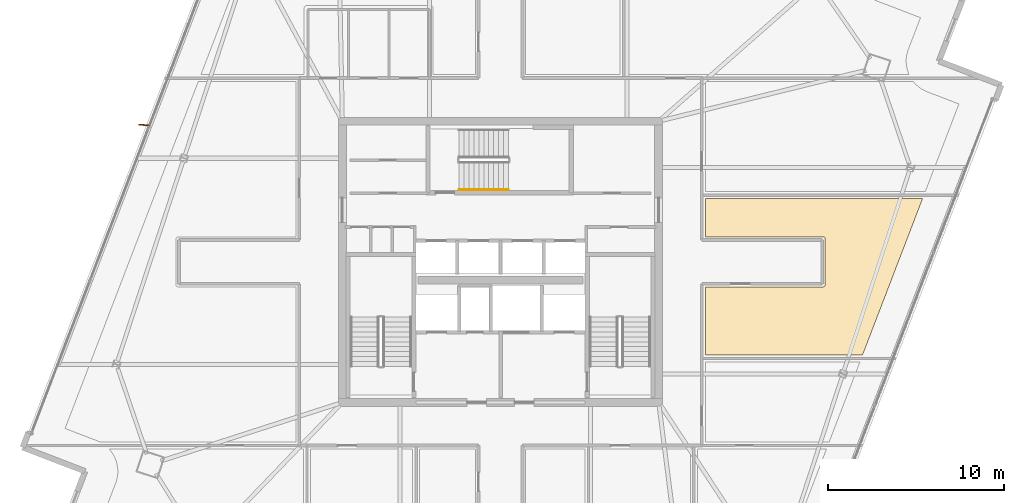
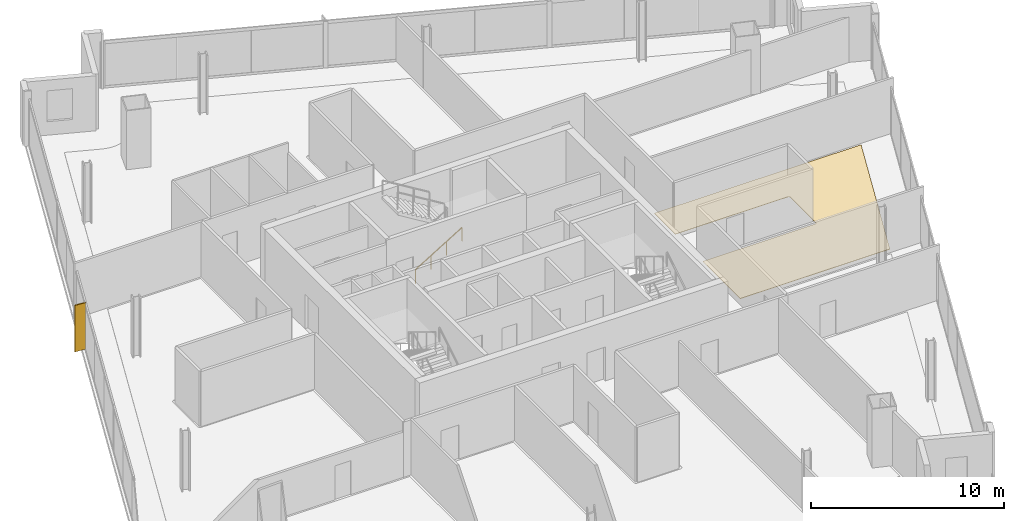
# One storey, part 25 of 27: 1 covering, 1 railing, 1 shading device.
"""IFC4 building model written with IfcOpenShell, lengths in metres."""

from ifc_helpers import new_model, si_unit, direction, frame, origin, origin_2d, place, context, subcontext, project, spatial, polyline, rectangle, outline, extrude, source, transform, mapped, material, layer, layer_set, type_object, element, save


model = new_model("IFC4")

# Units and contexts
model_context = context("Model", 3, precision=1e-05, world=origin(), true_north=direction((0.0, 1.0)))
body_context = subcontext(model_context, "Body", "Model", "MODEL_VIEW")
ifc_project = project(units=[si_unit("LENGTHUNIT", "METRE"), si_unit("AREAUNIT", "SQUARE_METRE"), si_unit("VOLUMEUNIT", "CUBIC_METRE"), si_unit("PLANEANGLEUNIT", "RADIAN"), si_unit("MASSUNIT", "GRAM", prefix="KILO")], contexts=[model_context])

# Site, building, storey
site_placement = place(None, origin())
site = spatial("IfcSite", under=ifc_project, at=site_placement, CompositionType="ELEMENT")
building_placement = place(site_placement, origin())
building = spatial("IfcBuilding", under=site, at=building_placement, Name="Haldenkirk Collegiate Tower", CompositionType="ELEMENT")
storey_placement = place(building_placement, frame((0.0, 0.0, 259.949951171875)))
storey = spatial("IfcBuildingStorey", under=building, at=storey_placement, Name="L65", CompositionType="ELEMENT", Elevation=259.949951171875)

# Covering
ifc_material_1 = material(Name="Polished collegiate terrazzo", Category="concrete")
ifc_layer_1 = layer(ifc_material_1, 0.02490234375)
ifc_layer_set_1 = layer_set([ifc_layer_1], Name="Polished collegiate terrazzo")
covering_type = type_object("IfcCoveringType", Name="COV-FLOOR-TERRAZZO", PredefinedType="FLOORING", material=ifc_layer_set_1)
covering_placement = place(storey_placement, origin())
element("IfcCovering", 1, at=covering_placement, inside=storey, type_object=covering_type, Name="L65 academic room finish 10", PredefinedType="FLOORING", context=body_context, shape_type="SweptSolid", body=[
    extrude(outline(polyline([(56.598876953125, 20.699951171875), (47.64990234375, 20.699951171875), (47.64990234375, 24.580078125), (54.35009765625, 24.580078125), (54.36181640625, 24.58056640625), (54.373291015625, 24.582275390625), (54.384765625, 24.585205078125), (54.39599609375, 24.589111328125), (54.406494140625, 24.59423828125), (54.416748046875, 24.60009765625), (54.426025390625, 24.607177734375), (54.434814453125, 24.614990234375), (54.44287109375, 24.623779296875), (54.44970703125, 24.63330078125), (54.455810546875, 24.643310546875), (54.4609375, 24.654052734375), (54.46484375, 24.665283203125), (54.4677734375, 24.676513671875), (54.469482421875, 24.688232421875), (54.469970703125, 24.699951171875), (54.469970703125, 27.300048828125), (54.469482421875, 27.311767578125), (54.4677734375, 27.323486328125), (54.46484375, 27.334716796875), (54.4609375, 27.345947265625), (54.455810546875, 27.356689453125), (54.44970703125, 27.36669921875), (54.44287109375, 27.376220703125), (54.434814453125, 27.385009765625), (54.426025390625, 27.392822265625), (54.416748046875, 27.39990234375), (54.406494140625, 27.40576171875), (54.39599609375, 27.410888671875), (54.384765625, 27.414794921875), (54.373291015625, 27.417724609375), (54.36181640625, 27.41943359375), (54.35009765625, 27.419921875), (47.64990234375, 27.419921875), (47.64990234375, 29.60009765625), (60.01513671875, 29.60009765625), (56.598876953125, 20.699951171875)])), origin(), (0.0, 0.0, 1.0), 0.025146484375),
])

# Railing
ifc_material_2 = material(Name="Painted architectural tubular steel", Category="steel")
railing_type = type_object("IfcRailingType", Name="RLG-STAIR-HANDRAIL-900", PredefinedType="HANDRAIL", material=ifc_material_2)
railing_placement = place(storey_placement, frame((33.64990234375, 30.10009765625, 0.17041015625)))
element("IfcRailing", 2, at=railing_placement, inside=storey, type_object=railing_type, Name="L65 ST-3 stair handrail 1", PredefinedType="HANDRAIL", context=body_context, shape_type="SweptSolid", body=[
    extrude(rectangle(XDim=0.048095703125, YDim=0.048095703125, at=origin_2d()), frame((0.0, 0.0, 0.8759765625), z_axis=(0.854169791009, 0.0, 0.51999420009), x_axis=(0.0, 1.0, 0.0)), (0.0, 0.0, 1.0), 3.278076171875),
    extrude(rectangle(XDim=0.0419921875, YDim=0.0419921875, at=origin_2d()), origin(), (0.0, 0.0, 1.0), 0.851806640625),
    extrude(rectangle(XDim=0.0419921875, YDim=0.0419921875, at=origin_2d()), frame((0.933349609375, 0.0, 0.568115234375)), (0.0, 0.0, 1.0), 0.851806640625),
    extrude(rectangle(XDim=0.0419921875, YDim=0.0419921875, at=origin_2d()), frame((1.86669921875, 0.0, 1.136474609375)), (0.0, 0.0, 1.0), 0.851806640625),
    extrude(rectangle(XDim=0.0419921875, YDim=0.0419921875, at=origin_2d()), frame((2.800048828125, 0.0, 1.70458984375)), (0.0, 0.0, 1.0), 0.851806640625),
])

# Shading device
ifc_material_3 = material(Name="Anodised architectural bronze aluminium", Category="aluminium")
ifc_layer_2 = layer(ifc_material_3, 0.06494140625)
ifc_layer_set_2 = layer_set([ifc_layer_2], Name="Anodised architectural bronze aluminium")
shading_device_type = type_object("IfcShadingDeviceType", Name="SHD-FIN-BRONZE-620", PredefinedType="USERDEFINED", material=ifc_layer_set_2)
shared_shape = source(origin(), body_context, "Body", "SweptSolid", [
    extrude(rectangle(XDim=0.6201171875, YDim=0.06494140625, at=origin_2d()), origin(), (0.0, 0.0, 1.0), 2.93798828125),
])
shading_device_placement = place(storey_placement, frame((15.727294921875, 33.781982421875, 0.0), z_axis=(0.0, 0.0, 1.0), x_axis=(-0.996194698092, 0.087155742748, 0.0)))
element("IfcShadingDevice", 3, at=shading_device_placement, inside=storey, type_object=shading_device_type, Name="L65 folded bronze solar fin 1", ObjectType="FIN", PredefinedType="USERDEFINED", context=body_context, shape_type="MappedRepresentation", body=[
    mapped(shared_shape, transform((0.0, 0.0, 0.0), x_axis=(1.0, 0.0, 0.0), y_axis=(0.0, 1.0, 0.0), z_axis=(0.0, 0.0, 1.0), scale=1.0)),
])

save(model, "model.ifc")
